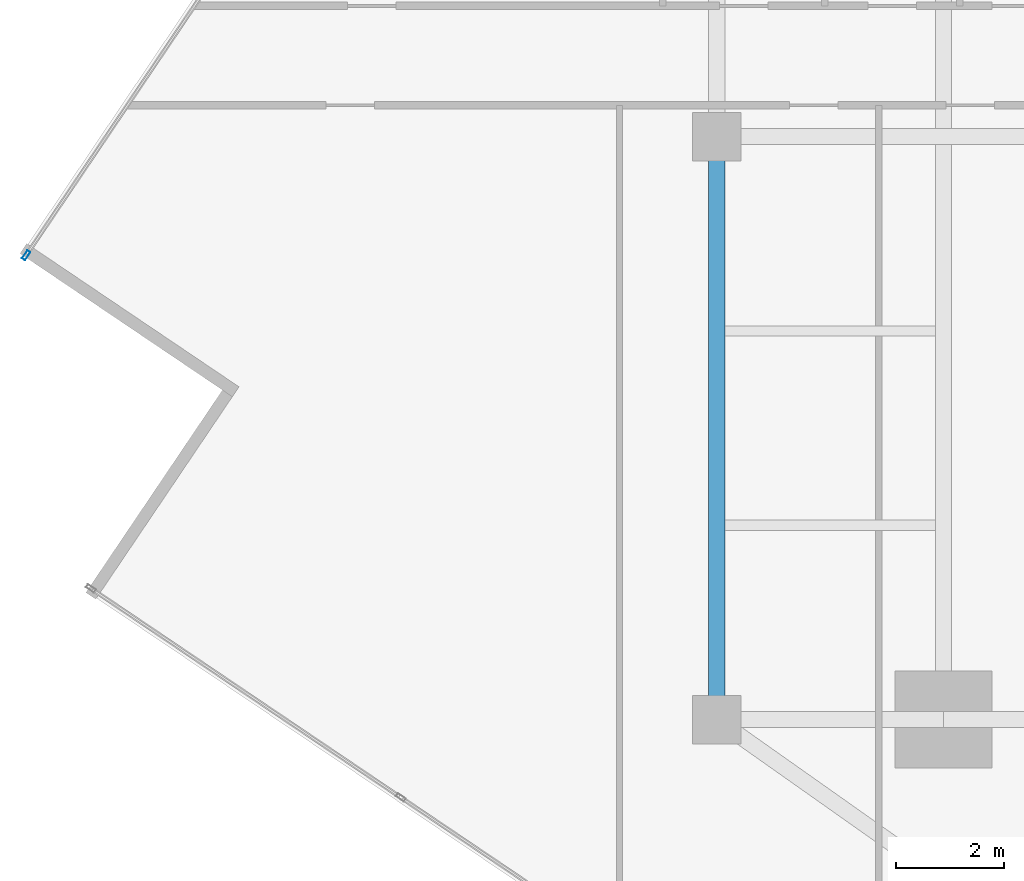
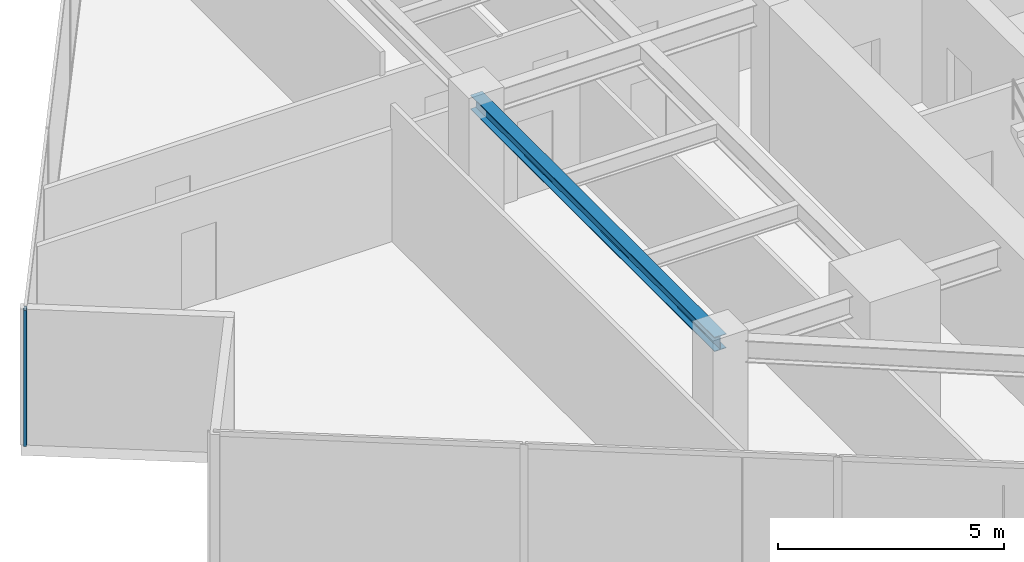
# One storey, part 6 of 27: 1 beam, 1 member, 1 element without a shape of its own.
"""IFC4 building model written with IfcOpenShell, lengths in metres."""

from ifc_helpers import new_model, si_unit, direction, frame, origin, origin_2d, place, context, subcontext, project, spatial, hollow_rectangle, i_section, extrude, source, transform, mapped, material, material_profile, profile_set, type_object, type_shapes, element, aggregate, save


model = new_model("IFC4")

# Units and contexts
model_context = context("Model", 3, precision=1e-05, world=origin(), true_north=direction((0.0, 1.0)))
body_context = subcontext(model_context, "Body", "Model", "MODEL_VIEW")
ifc_project = project(units=[si_unit("LENGTHUNIT", "METRE"), si_unit("AREAUNIT", "SQUARE_METRE"), si_unit("VOLUMEUNIT", "CUBIC_METRE"), si_unit("PLANEANGLEUNIT", "RADIAN"), si_unit("MASSUNIT", "GRAM", prefix="KILO")], contexts=[model_context])

# Site, building, storey
site_placement = place(None, origin())
site = spatial("IfcSite", under=ifc_project, at=site_placement, CompositionType="ELEMENT")
building_placement = place(site_placement, origin())
building = spatial("IfcBuilding", under=site, at=building_placement, Name="Krantzveldt Concourse Tower", CompositionType="ELEMENT")
storey_placement = place(building_placement, frame((0.0, 0.0, 185.699951171875)))
storey = spatial("IfcBuildingStorey", under=building, at=storey_placement, Name="L45", CompositionType="ELEMENT", Elevation=185.699951171875)

# Beam
ifc_material_1 = material(Name="Steel S355JR", Category="steel")
ifc_material_profile_1 = material_profile(ifc_material_1, i_section(OverallWidth=0.300048828125, OverallDepth=0.389892578125, WebThickness=0.010986328125, FlangeThickness=0.01904296875, FilletRadius=0.027099609375, at=origin_2d()), Name="Steel S355JR", Category="steel")
ifc_profile_set_1 = profile_set([ifc_material_profile_1], Name="Steel S355JR - HEA 400")
beam_type = type_object("IfcBeamType", Name="BM-SP-HEA400", PredefinedType="SPANDREL", material=ifc_profile_set_1)
shared_shape_1 = source(origin(), body_context, "Body", "SweptSolid", [
    extrude(i_section(OverallWidth=0.300048828125, OverallDepth=0.389892578125, WebThickness=0.010986328125, FlangeThickness=0.01904296875, FilletRadius=0.027099609375, at=origin_2d()), origin(), (0.0, 0.0, 1.0), 10.800048828125),
])
type_shapes(beam_type, [shared_shape_1])
beam_placement = place(storey_placement, frame((21.0, 15.89990234375, 3.47509765625), z_axis=(0.0, 1.0, 0.0), x_axis=(-1.0, 0.0, 0.0)))
element("IfcBeam", 1, at=beam_placement, inside=storey, type_object=beam_type, Name="L45 Tower Girder SP-R01", PredefinedType="SPANDREL", context=body_context, shape_type="MappedRepresentation", body=[
    mapped(shared_shape_1, transform((0.0, 0.0, 0.0), x_axis=(1.0, 0.0, 0.0), y_axis=(0.0, 1.0, 0.0), z_axis=(0.0, 0.0, 1.0), scale=1.0)),
])

# Curtain wall, member
ifc_material_2 = material(Name="Anodised aluminium 6063-T6", Category="aluminium")
curtain_wall_type = type_object("IfcCurtainWallType", Name="CW3", PredefinedType="USERDEFINED", material=ifc_material_2)
curtain_wall_placement = place(storey_placement, origin())
curtain_wall = element("IfcCurtainWall", 2, at=curtain_wall_placement, inside=storey, type_object=curtain_wall_type, Name="CW-L45-F01", ObjectType="UNITISED CURTAIN WALL", PredefinedType="USERDEFINED")
ifc_material_profile_2 = material_profile(ifc_material_2, hollow_rectangle(XDim=0.070068359375, YDim=0.179931640625, WallThickness=0.0048828125, at=origin_2d()), Name="Anodised aluminium 6063-T6", Category="aluminium")
ifc_profile_set_2 = profile_set([ifc_material_profile_2], Name="Anodised aluminium 6063-T6 - ALU-MULL 180x70x5")
member_type = type_object("IfcMemberType", Name="CW-MUL-180", PredefinedType="MULLION", material=ifc_profile_set_2)
shared_shape_2 = source(origin(), body_context, "Body", "SweptSolid", [
    extrude(hollow_rectangle(XDim=0.070068359375, YDim=0.179931640625, WallThickness=0.0048828125, at=origin_2d()), origin(), (0.0, 0.0, 1.0), 3.670166015625),
])
type_shapes(member_type, [shared_shape_2])
member_placement = place(storey_placement, frame((8.208251953125, 24.499755859375, 0.0), z_axis=(0.0, 0.0, 1.0), x_axis=(0.829037635301, -0.559192810447, 0.0)))
member = element("IfcMember", 3, at=member_placement, type_object=member_type, Name="CW-Z34 mullion 6", PredefinedType="MULLION", context=body_context, shape_type="MappedRepresentation", body=[
    mapped(shared_shape_2, transform((0.0, 0.0, 0.0), x_axis=(1.0, 0.0, 0.0), y_axis=(0.0, 1.0, 0.0), z_axis=(0.0, 0.0, 1.0), scale=1.0)),
])
aggregate(curtain_wall, [member])

save(model, "model.ifc")
